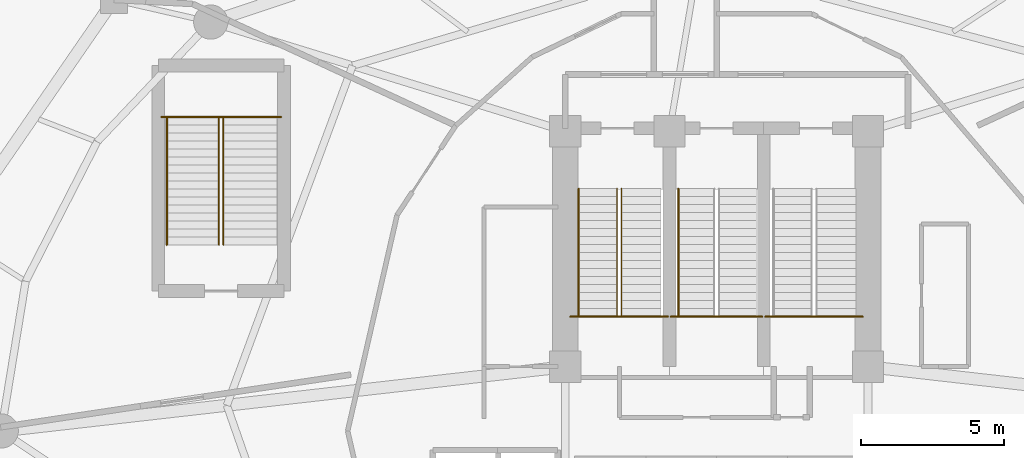
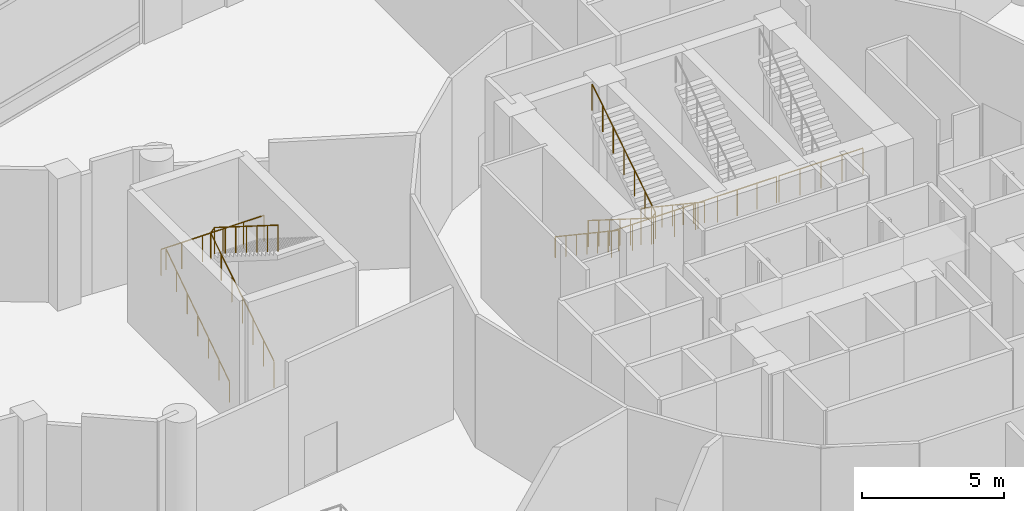
# One storey, part 38 of 40: 9 railings.
"""IFC4 building model written with IfcOpenShell, lengths in metres."""

from ifc_helpers import new_model, si_unit, direction, frame, origin, place, context, subcontext, project, spatial, polyline, outline, extrude, material, type_object, element, save


model = new_model("IFC4")

# Units and contexts
model_context = context("Model", 3, precision=1e-05, world=origin(), true_north=direction((0.0, 1.0)))
body_context = subcontext(model_context, "Body", "Model", "MODEL_VIEW")
ifc_project = project(units=[si_unit("LENGTHUNIT", "METRE"), si_unit("AREAUNIT", "SQUARE_METRE"), si_unit("VOLUMEUNIT", "CUBIC_METRE"), si_unit("PLANEANGLEUNIT", "RADIAN"), si_unit("MASSUNIT", "GRAM", prefix="KILO")], contexts=[model_context])

# Site, building, storey
site_placement = place(None, origin())
site = spatial("IfcSite", under=ifc_project, at=site_placement, CompositionType="ELEMENT")
building_placement = place(site_placement, origin())
building = spatial("IfcBuilding", under=site, at=building_placement, Name="Nuhasar Tower", CompositionType="ELEMENT")
storey_placement = place(building_placement, origin())
storey = spatial("IfcBuildingStorey", under=building, at=storey_placement, Name="L00", CompositionType="ELEMENT", Elevation=0.0)

# Railings
ifc_material_1 = material(Name="Steel S355", Category="steel")
railing_type_1 = type_object("IfcRailingType", Name="RLG-STAIR-GUARD-1150", PredefinedType="GUARDRAIL", material=ifc_material_1)
railing_1_placement = place(storey_placement, frame((33.8798828125, 30.804931640625, 3.0)))
element("IfcRailing", 1, at=railing_1_placement, inside=storey, type_object=railing_type_1, Name="L00 Stair ST-01 Guardrail LND", PredefinedType="GUARDRAIL", context=body_context, shape_type="SweptSolid", body=[
    extrude(outline(polyline([(0.024169921875, 0.0), (0.01708984375, 0.01708984375), (0.0, 0.024169921875), (-0.01708984375, 0.01708984375), (-0.024169921875, 0.0), (-0.01708984375, -0.01708984375), (0.0, -0.024169921875), (0.01708984375, -0.01708984375), (0.024169921875, 0.0)])), frame((0.0, 0.0, 1.1259765625), z_axis=(1.0, 0.0, 0.0), x_axis=(0.0, 1.0, 0.0)), (0.0, 0.0, 1.0), 3.420166015625),
    extrude(outline(polyline([(0.02099609375, 0.0), (0.014892578125, 0.014892578125), (0.0, 0.02099609375), (-0.014892578125, 0.014892578125), (-0.02099609375, 0.0), (-0.014892578125, -0.014892578125), (0.0, -0.02099609375), (0.014892578125, -0.014892578125), (0.02099609375, 0.0)])), origin(), (0.0, 0.0, 1.0), 1.101806640625),
    extrude(outline(polyline([(0.02099609375, 0.0), (0.014892578125, 0.014892578125), (0.0, 0.02099609375), (-0.014892578125, 0.014892578125), (-0.02099609375, 0.0), (-0.014892578125, -0.014892578125), (0.0, -0.02099609375), (0.014892578125, -0.014892578125), (0.02099609375, 0.0)])), frame((0.85498046875, 0.0, 0.0)), (0.0, 0.0, 1.0), 1.101806640625),
    extrude(outline(polyline([(0.02099609375, 0.0), (0.014892578125, 0.014892578125), (0.0, 0.02099609375), (-0.014892578125, 0.014892578125), (-0.02099609375, 0.0), (-0.014892578125, -0.014892578125), (0.0, -0.02099609375), (0.014892578125, -0.014892578125), (0.02099609375, 0.0)])), frame((1.7099609375, 0.0, 0.0)), (0.0, 0.0, 1.0), 1.101806640625),
    extrude(outline(polyline([(0.02099609375, 0.0), (0.014892578125, 0.014892578125), (0.0, 0.02099609375), (-0.014892578125, 0.014892578125), (-0.02099609375, 0.0), (-0.014892578125, -0.014892578125), (0.0, -0.02099609375), (0.014892578125, -0.014892578125), (0.02099609375, 0.0)])), frame((2.565185546875, 0.0, 0.0)), (0.0, 0.0, 1.0), 1.101806640625),
    extrude(outline(polyline([(0.02099609375, 0.0), (0.014892578125, 0.014892578125), (0.0, 0.02099609375), (-0.014892578125, 0.014892578125), (-0.02099609375, 0.0), (-0.014892578125, -0.014892578125), (0.0, -0.02099609375), (0.014892578125, -0.014892578125), (0.02099609375, 0.0)])), frame((3.420166015625, 0.0, 0.0)), (0.0, 0.0, 1.0), 1.101806640625),
])
railing_2_placement = place(storey_placement, frame((35.510009765625, 35.284912109375, 0.176025390625)))
element("IfcRailing", 2, at=railing_2_placement, inside=storey, type_object=railing_type_1, Name="L00 Stair ST-01 Guardrail SLT", PredefinedType="GUARDRAIL", context=body_context, shape_type="SweptSolid", body=[
    extrude(outline(polyline([(0.024169921875, 0.0), (0.01708984375, 0.01708984375), (0.0, 0.024169921875), (-0.01708984375, 0.01708984375), (-0.024169921875, 0.0), (-0.01708984375, -0.01708984375), (0.0, -0.024169921875), (0.01708984375, -0.01708984375), (0.024169921875, 0.0)])), frame((0.0, 0.0, 1.1259765625), z_axis=(0.0, -0.845956345692, 0.533252155347), x_axis=(1.0, 0.0, 0.0)), (0.0, 0.0, 1.0), 5.295654296875),
    extrude(outline(polyline([(0.024169921875, 0.0), (0.01708984375, 0.01708984375), (0.0, 0.024169921875), (-0.01708984375, 0.01708984375), (-0.024169921875, 0.0), (-0.01708984375, -0.01708984375), (0.0, -0.024169921875), (0.01708984375, -0.01708984375), (0.024169921875, 0.0)])), frame((0.0, -4.47998046875, 3.94970703125), z_axis=(0.672417267389, 0.0, 0.740172289752), x_axis=(0.0, 1.0, 0.0)), (0.0, 0.0, 1.0), 0.23779296875),
    extrude(outline(polyline([(0.024169921875, 0.0), (0.01708984375, 0.01708984375), (0.0, 0.024169921875), (-0.01708984375, 0.01708984375), (-0.024169921875, 0.0), (-0.01708984375, -0.01708984375), (0.0, -0.024169921875), (0.01708984375, -0.01708984375), (0.024169921875, 0.0)])), frame((0.159912109375, -4.47998046875, 4.1259765625), z_axis=(0.0, 0.845956345692, 0.533252155347), x_axis=(-1.0, 0.0, 0.0)), (0.0, 0.0, 1.0), 5.295654296875),
    extrude(outline(polyline([(0.02099609375, 0.0), (0.014892578125, 0.014892578125), (0.0, 0.02099609375), (-0.014892578125, 0.014892578125), (-0.02099609375, 0.0), (-0.014892578125, -0.014892578125), (0.0, -0.02099609375), (0.014892578125, -0.014892578125), (0.02099609375, 0.0)])), origin(), (0.0, 0.0, 1.0), 1.101806640625),
    extrude(outline(polyline([(0.02099609375, 0.0), (0.014892578125, 0.014892578125), (0.0, 0.02099609375), (-0.014892578125, 0.014892578125), (-0.02099609375, 0.0), (-0.014892578125, -0.014892578125), (0.0, -0.02099609375), (0.014892578125, -0.014892578125), (0.02099609375, 0.0)])), frame((0.0, -0.74658203125, 0.470703125)), (0.0, 0.0, 1.0), 1.101806640625),
    extrude(outline(polyline([(0.02099609375, 0.0), (0.014892578125, 0.014892578125), (0.0, 0.02099609375), (-0.014892578125, 0.014892578125), (-0.02099609375, 0.0), (-0.014892578125, -0.014892578125), (0.0, -0.02099609375), (0.014892578125, -0.014892578125), (0.02099609375, 0.0)])), frame((0.0, -1.493408203125, 0.94140625)), (0.0, 0.0, 1.0), 1.101806640625),
    extrude(outline(polyline([(0.02099609375, 0.0), (0.014892578125, 0.014892578125), (0.0, 0.02099609375), (-0.014892578125, 0.014892578125), (-0.02099609375, 0.0), (-0.014892578125, -0.014892578125), (0.0, -0.02099609375), (0.014892578125, -0.014892578125), (0.02099609375, 0.0)])), frame((0.0, -2.239990234375, 1.412109375)), (0.0, 0.0, 1.0), 1.101806640625),
    extrude(outline(polyline([(0.02099609375, 0.0), (0.014892578125, 0.014892578125), (0.0, 0.02099609375), (-0.014892578125, 0.014892578125), (-0.02099609375, 0.0), (-0.014892578125, -0.014892578125), (0.0, -0.02099609375), (0.014892578125, -0.014892578125), (0.02099609375, 0.0)])), frame((0.0, -2.986572265625, 1.882568359375)), (0.0, 0.0, 1.0), 1.101806640625),
    extrude(outline(polyline([(0.02099609375, 0.0), (0.014892578125, 0.014892578125), (0.0, 0.02099609375), (-0.014892578125, 0.014892578125), (-0.02099609375, 0.0), (-0.014892578125, -0.014892578125), (0.0, -0.02099609375), (0.014892578125, -0.014892578125), (0.02099609375, 0.0)])), frame((0.0, -3.7333984375, 2.353271484375)), (0.0, 0.0, 1.0), 1.101806640625),
    extrude(outline(polyline([(0.02099609375, 0.0), (0.014892578125, 0.014892578125), (0.0, 0.02099609375), (-0.014892578125, 0.014892578125), (-0.02099609375, 0.0), (-0.014892578125, -0.014892578125), (0.0, -0.02099609375), (0.014892578125, -0.014892578125), (0.02099609375, 0.0)])), frame((0.0, -4.47998046875, 2.823974609375)), (0.0, 0.0, 1.0), 1.101806640625),
    extrude(outline(polyline([(0.02099609375, 0.0), (0.014892578125, 0.014892578125), (0.0, 0.02099609375), (-0.014892578125, 0.014892578125), (-0.02099609375, 0.0), (-0.014892578125, -0.014892578125), (0.0, -0.02099609375), (0.014892578125, -0.014892578125), (0.02099609375, 0.0)])), frame((0.159912109375, -4.47998046875, 3.0)), (0.0, 0.0, 1.0), 1.101806640625),
    extrude(outline(polyline([(0.02099609375, 0.0), (0.014892578125, 0.014892578125), (0.0, 0.02099609375), (-0.014892578125, 0.014892578125), (-0.02099609375, 0.0), (-0.014892578125, -0.014892578125), (0.0, -0.02099609375), (0.014892578125, -0.014892578125), (0.02099609375, 0.0)])), frame((0.159912109375, -3.7333984375, 3.470703125)), (0.0, 0.0, 1.0), 1.101806640625),
    extrude(outline(polyline([(0.02099609375, 0.0), (0.014892578125, 0.014892578125), (0.0, 0.02099609375), (-0.014892578125, 0.014892578125), (-0.02099609375, 0.0), (-0.014892578125, -0.014892578125), (0.0, -0.02099609375), (0.014892578125, -0.014892578125), (0.02099609375, 0.0)])), frame((0.159912109375, -2.986572265625, 3.94140625)), (0.0, 0.0, 1.0), 1.101806640625),
    extrude(outline(polyline([(0.02099609375, 0.0), (0.014892578125, 0.014892578125), (0.0, 0.02099609375), (-0.014892578125, 0.014892578125), (-0.02099609375, 0.0), (-0.014892578125, -0.014892578125), (0.0, -0.02099609375), (0.014892578125, -0.014892578125), (0.02099609375, 0.0)])), frame((0.159912109375, -2.239990234375, 4.412109375)), (0.0, 0.0, 1.0), 1.101806640625),
    extrude(outline(polyline([(0.02099609375, 0.0), (0.014892578125, 0.014892578125), (0.0, 0.02099609375), (-0.014892578125, 0.014892578125), (-0.02099609375, 0.0), (-0.014892578125, -0.014892578125), (0.0, -0.02099609375), (0.014892578125, -0.014892578125), (0.02099609375, 0.0)])), frame((0.159912109375, -1.493408203125, 4.882568359375)), (0.0, 0.0, 1.0), 1.101806640625),
    extrude(outline(polyline([(0.02099609375, 0.0), (0.014892578125, 0.014892578125), (0.0, 0.02099609375), (-0.014892578125, 0.014892578125), (-0.02099609375, 0.0), (-0.014892578125, -0.014892578125), (0.0, -0.02099609375), (0.014892578125, -0.014892578125), (0.02099609375, 0.0)])), frame((0.159912109375, -0.74658203125, 5.353271484375)), (0.0, 0.0, 1.0), 1.101806640625),
    extrude(outline(polyline([(0.02099609375, 0.0), (0.014892578125, 0.014892578125), (0.0, 0.02099609375), (-0.014892578125, 0.014892578125), (-0.02099609375, 0.0), (-0.014892578125, -0.014892578125), (0.0, -0.02099609375), (0.014892578125, -0.014892578125), (0.02099609375, 0.0)])), frame((0.159912109375, 0.0, 5.823974609375)), (0.0, 0.0, 1.0), 1.101806640625),
])
railing_3_placement = place(storey_placement, frame((37.39990234375, 30.804931640625, 3.0)))
element("IfcRailing", 3, at=railing_3_placement, inside=storey, type_object=railing_type_1, Name="L00 Stair ST-03 Guardrail LND", PredefinedType="GUARDRAIL", context=body_context, shape_type="SweptSolid", body=[
    extrude(outline(polyline([(0.024169921875, 0.0), (0.01708984375, 0.01708984375), (0.0, 0.024169921875), (-0.01708984375, 0.01708984375), (-0.024169921875, 0.0), (-0.01708984375, -0.01708984375), (0.0, -0.024169921875), (0.01708984375, -0.01708984375), (0.024169921875, 0.0)])), frame((0.0, 0.0, 1.1259765625), z_axis=(1.0, 0.0, 0.0), x_axis=(0.0, 1.0, 0.0)), (0.0, 0.0, 1.0), 3.2001953125),
    extrude(outline(polyline([(0.02099609375, 0.0), (0.014892578125, 0.014892578125), (0.0, 0.02099609375), (-0.014892578125, 0.014892578125), (-0.02099609375, 0.0), (-0.014892578125, -0.014892578125), (0.0, -0.02099609375), (0.014892578125, -0.014892578125), (0.02099609375, 0.0)])), origin(), (0.0, 0.0, 1.0), 1.101806640625),
    extrude(outline(polyline([(0.02099609375, 0.0), (0.014892578125, 0.014892578125), (0.0, 0.02099609375), (-0.014892578125, 0.014892578125), (-0.02099609375, 0.0), (-0.014892578125, -0.014892578125), (0.0, -0.02099609375), (0.014892578125, -0.014892578125), (0.02099609375, 0.0)])), frame((0.800048828125, 0.0, 0.0)), (0.0, 0.0, 1.0), 1.101806640625),
    extrude(outline(polyline([(0.02099609375, 0.0), (0.014892578125, 0.014892578125), (0.0, 0.02099609375), (-0.014892578125, 0.014892578125), (-0.02099609375, 0.0), (-0.014892578125, -0.014892578125), (0.0, -0.02099609375), (0.014892578125, -0.014892578125), (0.02099609375, 0.0)])), frame((1.60009765625, 0.0, 0.0)), (0.0, 0.0, 1.0), 1.101806640625),
    extrude(outline(polyline([(0.02099609375, 0.0), (0.014892578125, 0.014892578125), (0.0, 0.02099609375), (-0.014892578125, 0.014892578125), (-0.02099609375, 0.0), (-0.014892578125, -0.014892578125), (0.0, -0.02099609375), (0.014892578125, -0.014892578125), (0.02099609375, 0.0)])), frame((2.400146484375, 0.0, 0.0)), (0.0, 0.0, 1.0), 1.101806640625),
    extrude(outline(polyline([(0.02099609375, 0.0), (0.014892578125, 0.014892578125), (0.0, 0.02099609375), (-0.014892578125, 0.014892578125), (-0.02099609375, 0.0), (-0.014892578125, -0.014892578125), (0.0, -0.02099609375), (0.014892578125, -0.014892578125), (0.02099609375, 0.0)])), frame((3.2001953125, 0.0, 0.0)), (0.0, 0.0, 1.0), 1.101806640625),
])
railing_4_placement = place(storey_placement, frame((40.699951171875, 30.804931640625, 3.0)))
element("IfcRailing", 4, at=railing_4_placement, inside=storey, type_object=railing_type_1, Name="L00 Stair ST-02 Guardrail LND", PredefinedType="GUARDRAIL", context=body_context, shape_type="SweptSolid", body=[
    extrude(outline(polyline([(0.024169921875, 0.0), (0.01708984375, 0.01708984375), (0.0, 0.024169921875), (-0.01708984375, 0.01708984375), (-0.024169921875, 0.0), (-0.01708984375, -0.01708984375), (0.0, -0.024169921875), (0.01708984375, -0.01708984375), (0.024169921875, 0.0)])), frame((0.0, 0.0, 1.1259765625), z_axis=(1.0, 0.0, 0.0), x_axis=(0.0, 1.0, 0.0)), (0.0, 0.0, 1.0), 3.420166015625),
    extrude(outline(polyline([(0.02099609375, 0.0), (0.014892578125, 0.014892578125), (0.0, 0.02099609375), (-0.014892578125, 0.014892578125), (-0.02099609375, 0.0), (-0.014892578125, -0.014892578125), (0.0, -0.02099609375), (0.014892578125, -0.014892578125), (0.02099609375, 0.0)])), origin(), (0.0, 0.0, 1.0), 1.101806640625),
    extrude(outline(polyline([(0.02099609375, 0.0), (0.014892578125, 0.014892578125), (0.0, 0.02099609375), (-0.014892578125, 0.014892578125), (-0.02099609375, 0.0), (-0.014892578125, -0.014892578125), (0.0, -0.02099609375), (0.014892578125, -0.014892578125), (0.02099609375, 0.0)])), frame((0.85498046875, 0.0, 0.0)), (0.0, 0.0, 1.0), 1.101806640625),
    extrude(outline(polyline([(0.02099609375, 0.0), (0.014892578125, 0.014892578125), (0.0, 0.02099609375), (-0.014892578125, 0.014892578125), (-0.02099609375, 0.0), (-0.014892578125, -0.014892578125), (0.0, -0.02099609375), (0.014892578125, -0.014892578125), (0.02099609375, 0.0)])), frame((1.7099609375, 0.0, 0.0)), (0.0, 0.0, 1.0), 1.101806640625),
    extrude(outline(polyline([(0.02099609375, 0.0), (0.014892578125, 0.014892578125), (0.0, 0.02099609375), (-0.014892578125, 0.014892578125), (-0.02099609375, 0.0), (-0.014892578125, -0.014892578125), (0.0, -0.02099609375), (0.014892578125, -0.014892578125), (0.02099609375, 0.0)])), frame((2.565185546875, 0.0, 0.0)), (0.0, 0.0, 1.0), 1.101806640625),
    extrude(outline(polyline([(0.02099609375, 0.0), (0.014892578125, 0.014892578125), (0.0, 0.02099609375), (-0.014892578125, 0.014892578125), (-0.02099609375, 0.0), (-0.014892578125, -0.014892578125), (0.0, -0.02099609375), (0.014892578125, -0.014892578125), (0.02099609375, 0.0)])), frame((3.420166015625, 0.0, 0.0)), (0.0, 0.0, 1.0), 1.101806640625),
])
railing_5_placement = place(storey_placement, frame((19.550048828125, 37.794921875, 3.0)))
element("IfcRailing", 5, at=railing_5_placement, inside=storey, type_object=railing_type_1, Name="L00 Stair ST-04 Guardrail LND", PredefinedType="GUARDRAIL", context=body_context, shape_type="SweptSolid", body=[
    extrude(outline(polyline([(0.024169921875, 0.0), (0.01708984375, 0.01708984375), (0.0, 0.024169921875), (-0.01708984375, 0.01708984375), (-0.024169921875, 0.0), (-0.01708984375, -0.01708984375), (0.0, -0.024169921875), (0.01708984375, -0.01708984375), (0.024169921875, 0.0)])), frame((0.0, 0.0, 1.1259765625), z_axis=(1.0, 0.0, 0.0), x_axis=(0.0, 1.0, 0.0)), (0.0, 0.0, 1.0), 4.199951171875),
    extrude(outline(polyline([(0.02099609375, 0.0), (0.014892578125, 0.014892578125), (0.0, 0.02099609375), (-0.014892578125, 0.014892578125), (-0.02099609375, 0.0), (-0.014892578125, -0.014892578125), (0.0, -0.02099609375), (0.014892578125, -0.014892578125), (0.02099609375, 0.0)])), origin(), (0.0, 0.0, 1.0), 1.101806640625),
    extrude(outline(polyline([(0.02099609375, 0.0), (0.014892578125, 0.014892578125), (0.0, 0.02099609375), (-0.014892578125, 0.014892578125), (-0.02099609375, 0.0), (-0.014892578125, -0.014892578125), (0.0, -0.02099609375), (0.014892578125, -0.014892578125), (0.02099609375, 0.0)])), frame((0.840087890625, 0.0, 0.0)), (0.0, 0.0, 1.0), 1.101806640625),
    extrude(outline(polyline([(0.02099609375, 0.0), (0.014892578125, 0.014892578125), (0.0, 0.02099609375), (-0.014892578125, 0.014892578125), (-0.02099609375, 0.0), (-0.014892578125, -0.014892578125), (0.0, -0.02099609375), (0.014892578125, -0.014892578125), (0.02099609375, 0.0)])), frame((1.679931640625, 0.0, 0.0)), (0.0, 0.0, 1.0), 1.101806640625),
    extrude(outline(polyline([(0.02099609375, 0.0), (0.014892578125, 0.014892578125), (0.0, 0.02099609375), (-0.014892578125, 0.014892578125), (-0.02099609375, 0.0), (-0.014892578125, -0.014892578125), (0.0, -0.02099609375), (0.014892578125, -0.014892578125), (0.02099609375, 0.0)])), frame((2.52001953125, 0.0, 0.0)), (0.0, 0.0, 1.0), 1.101806640625),
    extrude(outline(polyline([(0.02099609375, 0.0), (0.014892578125, 0.014892578125), (0.0, 0.02099609375), (-0.014892578125, 0.014892578125), (-0.02099609375, 0.0), (-0.014892578125, -0.014892578125), (0.0, -0.02099609375), (0.014892578125, -0.014892578125), (0.02099609375, 0.0)])), frame((3.35986328125, 0.0, 0.0)), (0.0, 0.0, 1.0), 1.101806640625),
    extrude(outline(polyline([(0.02099609375, 0.0), (0.014892578125, 0.014892578125), (0.0, 0.02099609375), (-0.014892578125, 0.014892578125), (-0.02099609375, 0.0), (-0.014892578125, -0.014892578125), (0.0, -0.02099609375), (0.014892578125, -0.014892578125), (0.02099609375, 0.0)])), frame((4.199951171875, 0.0, 0.0)), (0.0, 0.0, 1.0), 1.101806640625),
])
railing_6_placement = place(storey_placement, frame((21.570068359375, 33.31494140625, 0.176025390625)))
element("IfcRailing", 6, at=railing_6_placement, inside=storey, type_object=railing_type_1, Name="L00 Stair ST-04 Guardrail SLT", PredefinedType="GUARDRAIL", context=body_context, shape_type="SweptSolid", body=[
    extrude(outline(polyline([(0.024169921875, 0.0), (0.01708984375, 0.01708984375), (0.0, 0.024169921875), (-0.01708984375, 0.01708984375), (-0.024169921875, 0.0), (-0.01708984375, -0.01708984375), (0.0, -0.024169921875), (0.01708984375, -0.01708984375), (0.024169921875, 0.0)])), frame((0.0, 0.0, 1.1259765625), z_axis=(0.0, 0.845956345692, 0.533252155347), x_axis=(-1.0, 0.0, 0.0)), (0.0, 0.0, 1.0), 5.295654296875),
    extrude(outline(polyline([(0.024169921875, 0.0), (0.01708984375, 0.01708984375), (0.0, 0.024169921875), (-0.01708984375, 0.01708984375), (-0.024169921875, 0.0), (-0.01708984375, -0.01708984375), (0.0, -0.024169921875), (0.01708984375, -0.01708984375), (0.024169921875, 0.0)])), frame((0.0, 4.47998046875, 3.94970703125), z_axis=(0.672417267389, 0.0, 0.740172289752), x_axis=(0.0, 1.0, 0.0)), (0.0, 0.0, 1.0), 0.23779296875),
    extrude(outline(polyline([(0.024169921875, 0.0), (0.01708984375, 0.01708984375), (0.0, 0.024169921875), (-0.01708984375, 0.01708984375), (-0.024169921875, 0.0), (-0.01708984375, -0.01708984375), (0.0, -0.024169921875), (0.01708984375, -0.01708984375), (0.024169921875, 0.0)])), frame((0.159912109375, 4.47998046875, 4.1259765625), z_axis=(0.0, -0.845956345692, 0.533252155347), x_axis=(1.0, 0.0, 0.0)), (0.0, 0.0, 1.0), 5.295654296875),
    extrude(outline(polyline([(0.02099609375, 0.0), (0.014892578125, 0.014892578125), (0.0, 0.02099609375), (-0.014892578125, 0.014892578125), (-0.02099609375, 0.0), (-0.014892578125, -0.014892578125), (0.0, -0.02099609375), (0.014892578125, -0.014892578125), (0.02099609375, 0.0)])), origin(), (0.0, 0.0, 1.0), 1.101806640625),
    extrude(outline(polyline([(0.02099609375, 0.0), (0.014892578125, 0.014892578125), (0.0, 0.02099609375), (-0.014892578125, 0.014892578125), (-0.02099609375, 0.0), (-0.014892578125, -0.014892578125), (0.0, -0.02099609375), (0.014892578125, -0.014892578125), (0.02099609375, 0.0)])), frame((0.0, 0.74658203125, 0.470703125)), (0.0, 0.0, 1.0), 1.101806640625),
    extrude(outline(polyline([(0.02099609375, 0.0), (0.014892578125, 0.014892578125), (0.0, 0.02099609375), (-0.014892578125, 0.014892578125), (-0.02099609375, 0.0), (-0.014892578125, -0.014892578125), (0.0, -0.02099609375), (0.014892578125, -0.014892578125), (0.02099609375, 0.0)])), frame((0.0, 1.493408203125, 0.94140625)), (0.0, 0.0, 1.0), 1.101806640625),
    extrude(outline(polyline([(0.02099609375, 0.0), (0.014892578125, 0.014892578125), (0.0, 0.02099609375), (-0.014892578125, 0.014892578125), (-0.02099609375, 0.0), (-0.014892578125, -0.014892578125), (0.0, -0.02099609375), (0.014892578125, -0.014892578125), (0.02099609375, 0.0)])), frame((0.0, 2.239990234375, 1.412109375)), (0.0, 0.0, 1.0), 1.101806640625),
    extrude(outline(polyline([(0.02099609375, 0.0), (0.014892578125, 0.014892578125), (0.0, 0.02099609375), (-0.014892578125, 0.014892578125), (-0.02099609375, 0.0), (-0.014892578125, -0.014892578125), (0.0, -0.02099609375), (0.014892578125, -0.014892578125), (0.02099609375, 0.0)])), frame((0.0, 2.986572265625, 1.882568359375)), (0.0, 0.0, 1.0), 1.101806640625),
    extrude(outline(polyline([(0.02099609375, 0.0), (0.014892578125, 0.014892578125), (0.0, 0.02099609375), (-0.014892578125, 0.014892578125), (-0.02099609375, 0.0), (-0.014892578125, -0.014892578125), (0.0, -0.02099609375), (0.014892578125, -0.014892578125), (0.02099609375, 0.0)])), frame((0.0, 3.7333984375, 2.353271484375)), (0.0, 0.0, 1.0), 1.101806640625),
    extrude(outline(polyline([(0.02099609375, 0.0), (0.014892578125, 0.014892578125), (0.0, 0.02099609375), (-0.014892578125, 0.014892578125), (-0.02099609375, 0.0), (-0.014892578125, -0.014892578125), (0.0, -0.02099609375), (0.014892578125, -0.014892578125), (0.02099609375, 0.0)])), frame((0.0, 4.47998046875, 2.823974609375)), (0.0, 0.0, 1.0), 1.101806640625),
    extrude(outline(polyline([(0.02099609375, 0.0), (0.014892578125, 0.014892578125), (0.0, 0.02099609375), (-0.014892578125, 0.014892578125), (-0.02099609375, 0.0), (-0.014892578125, -0.014892578125), (0.0, -0.02099609375), (0.014892578125, -0.014892578125), (0.02099609375, 0.0)])), frame((0.159912109375, 4.47998046875, 3.0)), (0.0, 0.0, 1.0), 1.101806640625),
    extrude(outline(polyline([(0.02099609375, 0.0), (0.014892578125, 0.014892578125), (0.0, 0.02099609375), (-0.014892578125, 0.014892578125), (-0.02099609375, 0.0), (-0.014892578125, -0.014892578125), (0.0, -0.02099609375), (0.014892578125, -0.014892578125), (0.02099609375, 0.0)])), frame((0.159912109375, 3.7333984375, 3.470703125)), (0.0, 0.0, 1.0), 1.101806640625),
    extrude(outline(polyline([(0.02099609375, 0.0), (0.014892578125, 0.014892578125), (0.0, 0.02099609375), (-0.014892578125, 0.014892578125), (-0.02099609375, 0.0), (-0.014892578125, -0.014892578125), (0.0, -0.02099609375), (0.014892578125, -0.014892578125), (0.02099609375, 0.0)])), frame((0.159912109375, 2.986572265625, 3.94140625)), (0.0, 0.0, 1.0), 1.101806640625),
    extrude(outline(polyline([(0.02099609375, 0.0), (0.014892578125, 0.014892578125), (0.0, 0.02099609375), (-0.014892578125, 0.014892578125), (-0.02099609375, 0.0), (-0.014892578125, -0.014892578125), (0.0, -0.02099609375), (0.014892578125, -0.014892578125), (0.02099609375, 0.0)])), frame((0.159912109375, 2.239990234375, 4.412109375)), (0.0, 0.0, 1.0), 1.101806640625),
    extrude(outline(polyline([(0.02099609375, 0.0), (0.014892578125, 0.014892578125), (0.0, 0.02099609375), (-0.014892578125, 0.014892578125), (-0.02099609375, 0.0), (-0.014892578125, -0.014892578125), (0.0, -0.02099609375), (0.014892578125, -0.014892578125), (0.02099609375, 0.0)])), frame((0.159912109375, 1.493408203125, 4.882568359375)), (0.0, 0.0, 1.0), 1.101806640625),
    extrude(outline(polyline([(0.02099609375, 0.0), (0.014892578125, 0.014892578125), (0.0, 0.02099609375), (-0.014892578125, 0.014892578125), (-0.02099609375, 0.0), (-0.014892578125, -0.014892578125), (0.0, -0.02099609375), (0.014892578125, -0.014892578125), (0.02099609375, 0.0)])), frame((0.159912109375, 0.74658203125, 5.353271484375)), (0.0, 0.0, 1.0), 1.101806640625),
    extrude(outline(polyline([(0.02099609375, 0.0), (0.014892578125, 0.014892578125), (0.0, 0.02099609375), (-0.014892578125, 0.014892578125), (-0.02099609375, 0.0), (-0.014892578125, -0.014892578125), (0.0, -0.02099609375), (0.014892578125, -0.014892578125), (0.02099609375, 0.0)])), frame((0.159912109375, 0.0, 5.823974609375)), (0.0, 0.0, 1.0), 1.101806640625),
])
ifc_material_2 = material(Name="Stainless Steel 316L", Category="steel")
railing_type_2 = type_object("IfcRailingType", Name="RLG-STAIR-HAND-920", PredefinedType="HANDRAIL", material=ifc_material_2)
railing_7_placement = place(storey_placement, frame((34.169921875, 35.284912109375, 0.176025390625)))
element("IfcRailing", 7, at=railing_7_placement, inside=storey, type_object=railing_type_2, Name="L00 Stair ST-01 Handrail HND1", PredefinedType="HANDRAIL", context=body_context, shape_type="SweptSolid", body=[
    extrude(outline(polyline([(0.024169921875, 0.0), (0.01708984375, 0.01708984375), (0.0, 0.024169921875), (-0.01708984375, 0.01708984375), (-0.024169921875, 0.0), (-0.01708984375, -0.01708984375), (0.0, -0.024169921875), (0.01708984375, -0.01708984375), (0.024169921875, 0.0)])), frame((0.0, 0.0, 0.89599609375), z_axis=(0.0, -0.830906055479, 0.556412730775), x_axis=(1.0, 0.0, 0.0)), (0.0, 0.0, 1.0), 5.3916015625),
    extrude(outline(polyline([(0.02099609375, 0.0), (0.014892578125, 0.014892578125), (0.0, 0.02099609375), (-0.014892578125, 0.014892578125), (-0.02099609375, 0.0), (-0.014892578125, -0.014892578125), (0.0, -0.02099609375), (0.014892578125, -0.014892578125), (0.02099609375, 0.0)])), origin(), (0.0, 0.0, 1.0), 0.871826171875),
    extrude(outline(polyline([(0.02099609375, 0.0), (0.014892578125, 0.014892578125), (0.0, 0.02099609375), (-0.014892578125, 0.014892578125), (-0.02099609375, 0.0), (-0.014892578125, -0.014892578125), (0.0, -0.02099609375), (0.014892578125, -0.014892578125), (0.02099609375, 0.0)])), frame((0.0, -0.74658203125, 0.5)), (0.0, 0.0, 1.0), 0.871826171875),
    extrude(outline(polyline([(0.02099609375, 0.0), (0.014892578125, 0.014892578125), (0.0, 0.02099609375), (-0.014892578125, 0.014892578125), (-0.02099609375, 0.0), (-0.014892578125, -0.014892578125), (0.0, -0.02099609375), (0.014892578125, -0.014892578125), (0.02099609375, 0.0)])), frame((0.0, -1.493408203125, 1.0)), (0.0, 0.0, 1.0), 0.871826171875),
    extrude(outline(polyline([(0.02099609375, 0.0), (0.014892578125, 0.014892578125), (0.0, 0.02099609375), (-0.014892578125, 0.014892578125), (-0.02099609375, 0.0), (-0.014892578125, -0.014892578125), (0.0, -0.02099609375), (0.014892578125, -0.014892578125), (0.02099609375, 0.0)])), frame((0.0, -2.239990234375, 1.5)), (0.0, 0.0, 1.0), 0.871826171875),
    extrude(outline(polyline([(0.02099609375, 0.0), (0.014892578125, 0.014892578125), (0.0, 0.02099609375), (-0.014892578125, 0.014892578125), (-0.02099609375, 0.0), (-0.014892578125, -0.014892578125), (0.0, -0.02099609375), (0.014892578125, -0.014892578125), (0.02099609375, 0.0)])), frame((0.0, -2.986572265625, 2.0)), (0.0, 0.0, 1.0), 0.871826171875),
    extrude(outline(polyline([(0.02099609375, 0.0), (0.014892578125, 0.014892578125), (0.0, 0.02099609375), (-0.014892578125, 0.014892578125), (-0.02099609375, 0.0), (-0.014892578125, -0.014892578125), (0.0, -0.02099609375), (0.014892578125, -0.014892578125), (0.02099609375, 0.0)])), frame((0.0, -3.7333984375, 2.5)), (0.0, 0.0, 1.0), 0.871826171875),
    extrude(outline(polyline([(0.02099609375, 0.0), (0.014892578125, 0.014892578125), (0.0, 0.02099609375), (-0.014892578125, 0.014892578125), (-0.02099609375, 0.0), (-0.014892578125, -0.014892578125), (0.0, -0.02099609375), (0.014892578125, -0.014892578125), (0.02099609375, 0.0)])), frame((0.0, -4.47998046875, 3.0)), (0.0, 0.0, 1.0), 0.871826171875),
])
railing_8_placement = place(storey_placement, frame((37.659912109375, 35.284912109375, 0.176025390625)))
element("IfcRailing", 8, at=railing_8_placement, inside=storey, type_object=railing_type_2, Name="L00 Stair ST-03 Handrail HND1", PredefinedType="HANDRAIL", context=body_context, shape_type="SweptSolid", body=[
    extrude(outline(polyline([(0.024169921875, 0.0), (0.01708984375, 0.01708984375), (0.0, 0.024169921875), (-0.01708984375, 0.01708984375), (-0.024169921875, 0.0), (-0.01708984375, -0.01708984375), (0.0, -0.024169921875), (0.01708984375, -0.01708984375), (0.024169921875, 0.0)])), frame((0.0, 0.0, 0.89599609375), z_axis=(0.0, -0.830906055479, 0.556412730775), x_axis=(1.0, 0.0, 0.0)), (0.0, 0.0, 1.0), 5.3916015625),
    extrude(outline(polyline([(0.02099609375, 0.0), (0.014892578125, 0.014892578125), (0.0, 0.02099609375), (-0.014892578125, 0.014892578125), (-0.02099609375, 0.0), (-0.014892578125, -0.014892578125), (0.0, -0.02099609375), (0.014892578125, -0.014892578125), (0.02099609375, 0.0)])), origin(), (0.0, 0.0, 1.0), 0.871826171875),
    extrude(outline(polyline([(0.02099609375, 0.0), (0.014892578125, 0.014892578125), (0.0, 0.02099609375), (-0.014892578125, 0.014892578125), (-0.02099609375, 0.0), (-0.014892578125, -0.014892578125), (0.0, -0.02099609375), (0.014892578125, -0.014892578125), (0.02099609375, 0.0)])), frame((0.0, -0.74658203125, 0.5)), (0.0, 0.0, 1.0), 0.871826171875),
    extrude(outline(polyline([(0.02099609375, 0.0), (0.014892578125, 0.014892578125), (0.0, 0.02099609375), (-0.014892578125, 0.014892578125), (-0.02099609375, 0.0), (-0.014892578125, -0.014892578125), (0.0, -0.02099609375), (0.014892578125, -0.014892578125), (0.02099609375, 0.0)])), frame((0.0, -1.493408203125, 1.0)), (0.0, 0.0, 1.0), 0.871826171875),
    extrude(outline(polyline([(0.02099609375, 0.0), (0.014892578125, 0.014892578125), (0.0, 0.02099609375), (-0.014892578125, 0.014892578125), (-0.02099609375, 0.0), (-0.014892578125, -0.014892578125), (0.0, -0.02099609375), (0.014892578125, -0.014892578125), (0.02099609375, 0.0)])), frame((0.0, -2.239990234375, 1.5)), (0.0, 0.0, 1.0), 0.871826171875),
    extrude(outline(polyline([(0.02099609375, 0.0), (0.014892578125, 0.014892578125), (0.0, 0.02099609375), (-0.014892578125, 0.014892578125), (-0.02099609375, 0.0), (-0.014892578125, -0.014892578125), (0.0, -0.02099609375), (0.014892578125, -0.014892578125), (0.02099609375, 0.0)])), frame((0.0, -2.986572265625, 2.0)), (0.0, 0.0, 1.0), 0.871826171875),
    extrude(outline(polyline([(0.02099609375, 0.0), (0.014892578125, 0.014892578125), (0.0, 0.02099609375), (-0.014892578125, 0.014892578125), (-0.02099609375, 0.0), (-0.014892578125, -0.014892578125), (0.0, -0.02099609375), (0.014892578125, -0.014892578125), (0.02099609375, 0.0)])), frame((0.0, -3.7333984375, 2.5)), (0.0, 0.0, 1.0), 0.871826171875),
    extrude(outline(polyline([(0.02099609375, 0.0), (0.014892578125, 0.014892578125), (0.0, 0.02099609375), (-0.014892578125, 0.014892578125), (-0.02099609375, 0.0), (-0.014892578125, -0.014892578125), (0.0, -0.02099609375), (0.014892578125, -0.014892578125), (0.02099609375, 0.0)])), frame((0.0, -4.47998046875, 3.0)), (0.0, 0.0, 1.0), 0.871826171875),
])
railing_9_placement = place(storey_placement, frame((19.75, 33.31494140625, 0.176025390625)))
element("IfcRailing", 9, at=railing_9_placement, inside=storey, type_object=railing_type_2, Name="L00 Stair ST-04 Handrail HND1", PredefinedType="HANDRAIL", context=body_context, shape_type="SweptSolid", body=[
    extrude(outline(polyline([(0.024169921875, 0.0), (0.01708984375, 0.01708984375), (0.0, 0.024169921875), (-0.01708984375, 0.01708984375), (-0.024169921875, 0.0), (-0.01708984375, -0.01708984375), (0.0, -0.024169921875), (0.01708984375, -0.01708984375), (0.024169921875, 0.0)])), frame((0.0, 0.0, 0.89599609375), z_axis=(0.0, 0.830906055479, 0.556412730775), x_axis=(-1.0, 0.0, 0.0)), (0.0, 0.0, 1.0), 5.3916015625),
    extrude(outline(polyline([(0.02099609375, 0.0), (0.014892578125, 0.014892578125), (0.0, 0.02099609375), (-0.014892578125, 0.014892578125), (-0.02099609375, 0.0), (-0.014892578125, -0.014892578125), (0.0, -0.02099609375), (0.014892578125, -0.014892578125), (0.02099609375, 0.0)])), origin(), (0.0, 0.0, 1.0), 0.871826171875),
    extrude(outline(polyline([(0.02099609375, 0.0), (0.014892578125, 0.014892578125), (0.0, 0.02099609375), (-0.014892578125, 0.014892578125), (-0.02099609375, 0.0), (-0.014892578125, -0.014892578125), (0.0, -0.02099609375), (0.014892578125, -0.014892578125), (0.02099609375, 0.0)])), frame((0.0, 0.74658203125, 0.5)), (0.0, 0.0, 1.0), 0.871826171875),
    extrude(outline(polyline([(0.02099609375, 0.0), (0.014892578125, 0.014892578125), (0.0, 0.02099609375), (-0.014892578125, 0.014892578125), (-0.02099609375, 0.0), (-0.014892578125, -0.014892578125), (0.0, -0.02099609375), (0.014892578125, -0.014892578125), (0.02099609375, 0.0)])), frame((0.0, 1.493408203125, 1.0)), (0.0, 0.0, 1.0), 0.871826171875),
    extrude(outline(polyline([(0.02099609375, 0.0), (0.014892578125, 0.014892578125), (0.0, 0.02099609375), (-0.014892578125, 0.014892578125), (-0.02099609375, 0.0), (-0.014892578125, -0.014892578125), (0.0, -0.02099609375), (0.014892578125, -0.014892578125), (0.02099609375, 0.0)])), frame((0.0, 2.239990234375, 1.5)), (0.0, 0.0, 1.0), 0.871826171875),
    extrude(outline(polyline([(0.02099609375, 0.0), (0.014892578125, 0.014892578125), (0.0, 0.02099609375), (-0.014892578125, 0.014892578125), (-0.02099609375, 0.0), (-0.014892578125, -0.014892578125), (0.0, -0.02099609375), (0.014892578125, -0.014892578125), (0.02099609375, 0.0)])), frame((0.0, 2.986572265625, 2.0)), (0.0, 0.0, 1.0), 0.871826171875),
    extrude(outline(polyline([(0.02099609375, 0.0), (0.014892578125, 0.014892578125), (0.0, 0.02099609375), (-0.014892578125, 0.014892578125), (-0.02099609375, 0.0), (-0.014892578125, -0.014892578125), (0.0, -0.02099609375), (0.014892578125, -0.014892578125), (0.02099609375, 0.0)])), frame((0.0, 3.7333984375, 2.5)), (0.0, 0.0, 1.0), 0.871826171875),
    extrude(outline(polyline([(0.02099609375, 0.0), (0.014892578125, 0.014892578125), (0.0, 0.02099609375), (-0.014892578125, 0.014892578125), (-0.02099609375, 0.0), (-0.014892578125, -0.014892578125), (0.0, -0.02099609375), (0.014892578125, -0.014892578125), (0.02099609375, 0.0)])), frame((0.0, 4.47998046875, 3.0)), (0.0, 0.0, 1.0), 0.871826171875),
])

save(model, "model.ifc")
